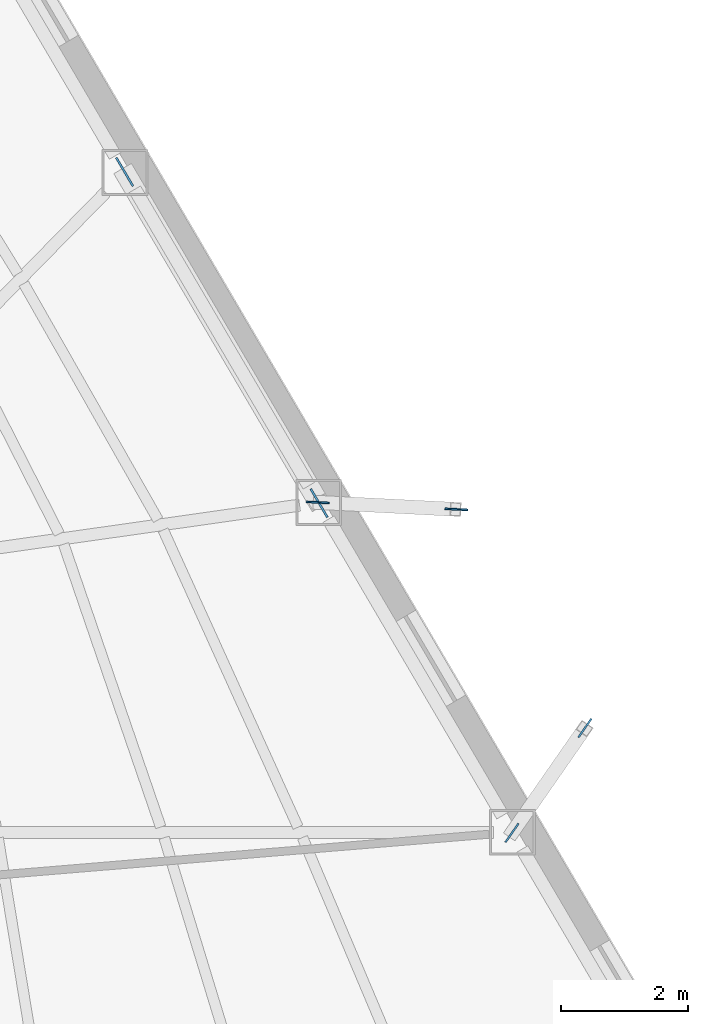
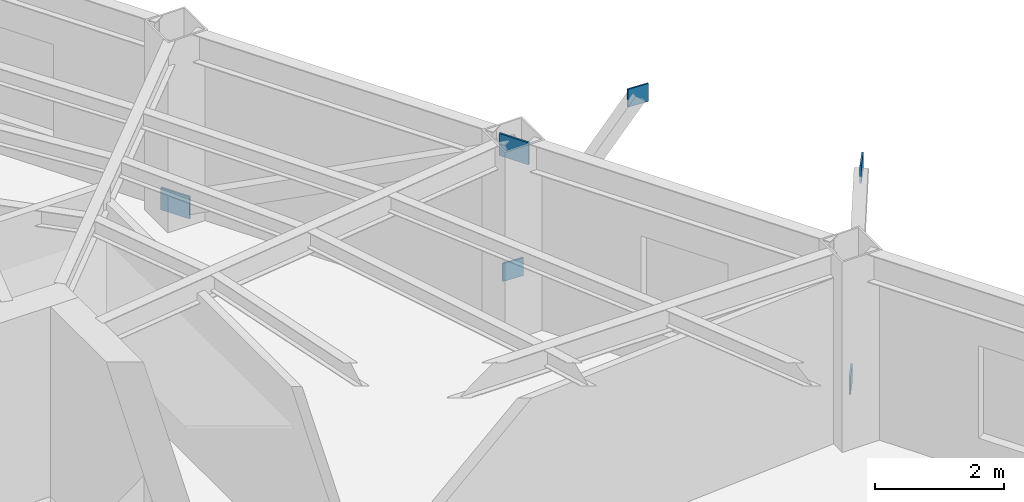
# One storey, part 5 of 13: 6 plates.
"""IFC4 building model written with IfcOpenShell, lengths in metres."""

from ifc_helpers import new_model, si_unit, direction, frame, origin, origin_2d, place, context, subcontext, project, spatial, rectangle, extrude, material, layer, layer_set, type_object, element, save


model = new_model("IFC4")

# Units and contexts
model_context = context("Model", 3, precision=1e-05, world=origin(), true_north=direction((0.0, 1.0)))
body_context = subcontext(model_context, "Body", "Model", "MODEL_VIEW")
ifc_project = project(units=[si_unit("LENGTHUNIT", "METRE"), si_unit("AREAUNIT", "SQUARE_METRE"), si_unit("VOLUMEUNIT", "CUBIC_METRE"), si_unit("PLANEANGLEUNIT", "RADIAN"), si_unit("MASSUNIT", "GRAM", prefix="KILO")], contexts=[model_context])

# Site, building, storey
site_placement = place(None, origin())
site = spatial("IfcSite", under=ifc_project, at=site_placement, CompositionType="ELEMENT")
building_placement = place(site_placement, origin())
building = spatial("IfcBuilding", under=site, at=building_placement, Name="Kavelnor Concourse Tower", CompositionType="ELEMENT")
storey_placement = place(building_placement, frame((0.0, 0.0, 124.0)))
storey = spatial("IfcBuildingStorey", under=building, at=storey_placement, Name="L31", CompositionType="ELEMENT", Elevation=124.0)

# Plates
ifc_material = material(Name="Steel Grade 350", Category="steel")
ifc_layer_1 = layer(ifc_material, 0.028076171875, Name="Steel Grade 350")
ifc_layer_set_1 = layer_set([ifc_layer_1], Name="Steel Grade 350")
plate_type_1 = type_object("IfcPlateType", Name="PL-GUSSET-FOLD", PredefinedType="USERDEFINED", material=ifc_layer_set_1)
for number, where, z_axis, x_axis, name in (
    (1, (59.111083984375, 17.84228515625, 0.8798828125), (0.0, 0.0, 1.0), (0.571000168056, 0.820949942494, 0.0), "L31 Balcony Strut Gusset GP4 1-A End Gusset A"),
    (2, (60.25927734375, 19.4931640625, 3.48486328125), (0.0, 0.0, 1.0), (0.571000168056, 0.820949942494, 0.0), "L31 Balcony Strut Gusset GP4 1-A End Gusset B"),
    (3, (56.059814453125, 23.04052734375, 0.8798828125), (0.0, 0.0, 1.0), (0.998745710682, -0.050070004933, 0.0), "L31 Balcony Strut Gusset GP4 1-B End Gusset A"),
    (4, (58.238037109375, 22.931396484375, 3.48486328125), (0.0, 0.0, 1.0), (0.998745710682, -0.050070004933, 0.0), "L31 Balcony Strut Gusset GP4 1-B End Gusset B"),
):
    element("IfcPlate", number, at=place(storey_placement, frame(where, z_axis=z_axis, x_axis=x_axis)), inside=storey, type_object=plate_type_1, Name=name, ObjectType="GUSSET_PLATE", PredefinedType="USERDEFINED", context=body_context, shape_type="SweptSolid", body=[
        extrude(rectangle(XDim=0.360107421875, YDim=0.028076171875, at=origin_2d()), origin(), (0.0, 0.0, 1.0), 0.340087890625),
    ])
ifc_layer_2 = layer(ifc_material, 0.031982421875, Name="Steel Grade 350")
ifc_layer_set_2 = layer_set([ifc_layer_2], Name="Steel Grade 350")
plate_type_2 = type_object("IfcPlateType", Name="PL-GUSSET-TUBE-Z1", PredefinedType="USERDEFINED", material=ifc_layer_set_2)
for number, where, z_axis, x_axis, name in (
    (5, (53.019775390625, 28.23828125, 0.010009765625), (0.0, 0.0, 1.0), (0.506334807353, -0.862336977557, 0.0), "L31 Tube Brace Gusset GP3 F2-B2 End Gusset A"),
    (6, (56.077880859375, 23.02978515625, 3.12353515625), (0.0, 0.0, 1.0), (0.506334807353, -0.862336977557, 0.0), "L31 Tube Brace Gusset GP3 F2-B2 End Gusset B"),
):
    element("IfcPlate", number, at=place(storey_placement, frame(where, z_axis=z_axis, x_axis=x_axis)), inside=storey, type_object=plate_type_2, Name=name, ObjectType="GUSSET_PLATE", PredefinedType="USERDEFINED", context=body_context, shape_type="SweptSolid", body=[
        extrude(rectangle(XDim=0.52001953125, YDim=0.031982421875, at=origin_2d()), origin(), (0.0, 0.0, 1.0), 0.419921875),
    ])

save(model, "model.ifc")
